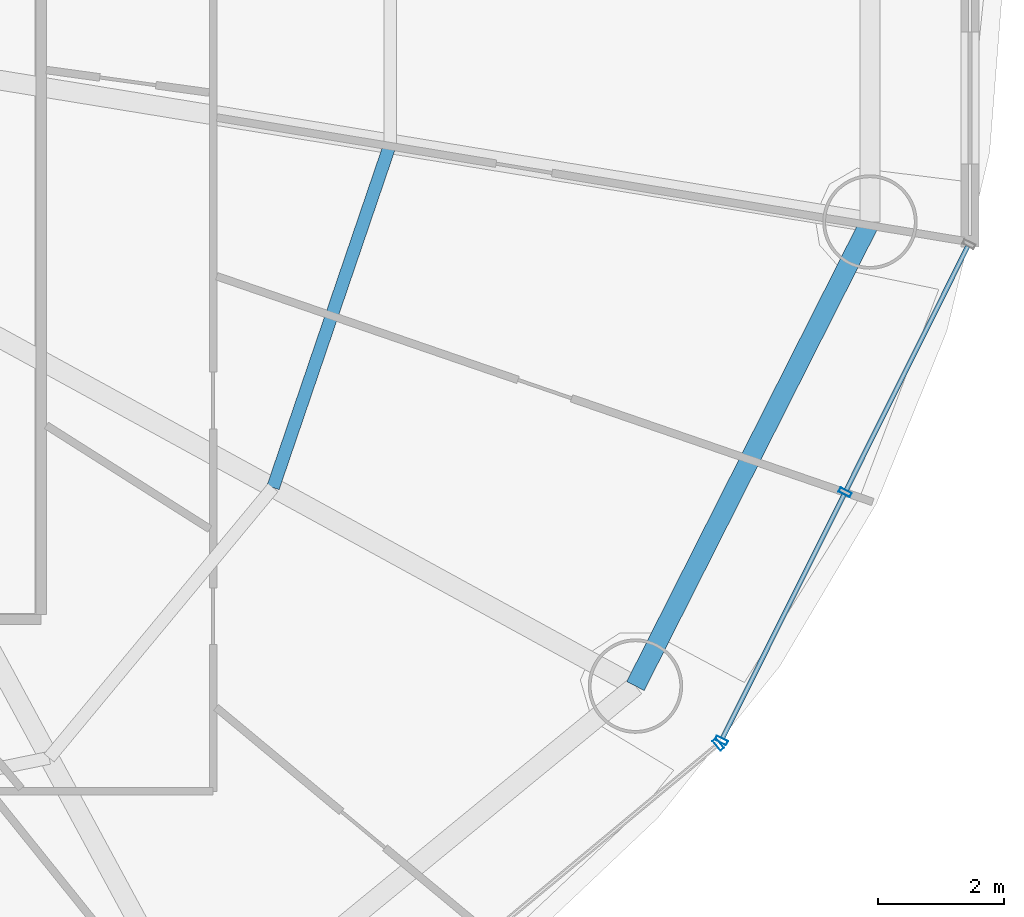
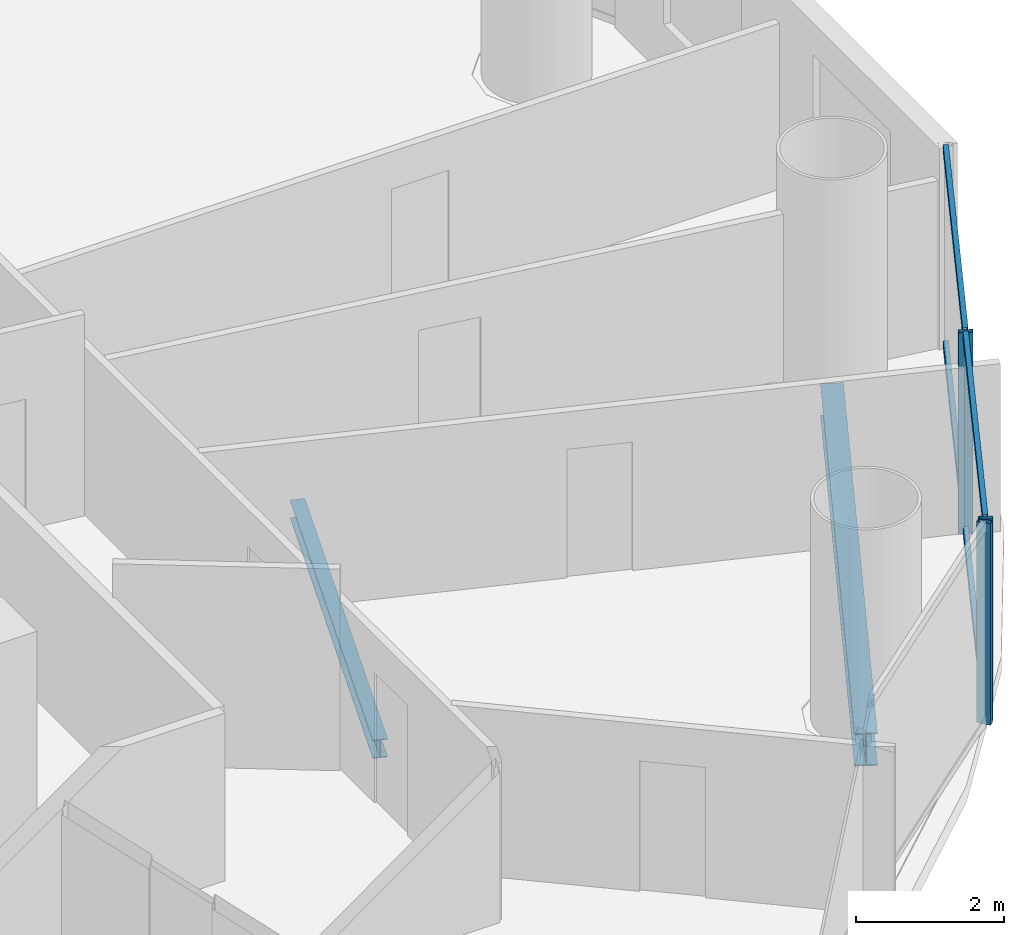
# One storey, part 13 of 29: 7 members, 2 beams, 2 elements without a shape of their own.
"""IFC4 building model written with IfcOpenShell, lengths in metres."""

from ifc_helpers import new_model, si_unit, direction, frame, origin, origin_2d, place, context, subcontext, project, spatial, hollow_rectangle, i_section, extrude, source, transform, mapped, material, material_profile, profile_set, type_object, element, aggregate, save


model = new_model("IFC4")

# Units and contexts
model_context = context("Model", 3, precision=1e-05, world=origin(), true_north=direction((-0.2419218956, 0.970295726276)))
body_context = subcontext(model_context, "Body", "Model", "MODEL_VIEW")
ifc_project = project(units=[si_unit("LENGTHUNIT", "METRE"), si_unit("AREAUNIT", "SQUARE_METRE"), si_unit("VOLUMEUNIT", "CUBIC_METRE"), si_unit("PLANEANGLEUNIT", "RADIAN"), si_unit("MASSUNIT", "GRAM", prefix="KILO")], contexts=[model_context])

# Site, building, storey
site_placement = place(None, origin())
site = spatial("IfcSite", under=ifc_project, at=site_placement, CompositionType="ELEMENT")
building_placement = place(site_placement, origin())
building = spatial("IfcBuilding", under=site, at=building_placement, Name="Cobrevalo Terracotta Tower", CompositionType="ELEMENT")
storey_placement = place(building_placement, frame((0.0, 0.0, 94.199951171875)))
storey = spatial("IfcBuildingStorey", under=building, at=storey_placement, Name="L24", CompositionType="ELEMENT", Elevation=94.199951171875)

# Beams
ifc_material_1 = material(Name="Steel S355", Category="steel")
ifc_material_profile_1 = material_profile(ifc_material_1, i_section(OverallWidth=0.2041015625, OverallDepth=0.305908203125, WebThickness=0.008544921875, FlangeThickness=0.0146484375, at=origin_2d()), Name="W 310x67")
ifc_profile_set_1 = profile_set([ifc_material_profile_1], Name="Steel S355")
beam_type_1 = type_object("IfcBeamType", Name="Structural Joist W 310x67 (Steel S355)", PredefinedType="JOIST", material=ifc_profile_set_1)
beam_1_placement = place(storey_placement, frame((52.987548828125, 18.591796875, -0.427978515625), z_axis=(0.322846227919, 0.946451431991, 0.0), x_axis=(-0.946451431991, 0.322846227919, 0.0)))
element("IfcBeam", 1, at=beam_1_placement, inside=storey, type_object=beam_type_1, Name="L24 circumferential secondary floor joist 15", PredefinedType="JOIST", context=body_context, shape_type="SweptSolid", body=[
    extrude(i_section(OverallWidth=0.2041015625, OverallDepth=0.305908203125, WebThickness=0.008544921875, FlangeThickness=0.0146484375, at=origin_2d()), origin(), (0.0, 0.0, 1.0), 5.77001953125),
])
ifc_material_profile_2 = material_profile(ifc_material_1, i_section(OverallWidth=0.31201171875, OverallDepth=0.54296875, WebThickness=0.0126953125, FlangeThickness=0.020263671875, at=origin_2d()), Name="W 530x150")
ifc_profile_set_2 = profile_set([ifc_material_profile_2], Name="Steel S355")
beam_type_2 = type_object("IfcBeamType", Name="Structural Spandrel W 530x150 (Steel S355)", PredefinedType="SPANDREL", material=ifc_profile_set_2)
beam_2_placement = place(storey_placement, frame((58.7451171875, 15.4384765625, -0.54638671875), z_axis=(0.451051982172, 0.892497680321, 0.0), x_axis=(-0.892497680321, 0.451051982172, 0.0)))
element("IfcBeam", 2, at=beam_2_placement, inside=storey, type_object=beam_type_2, Name="L24 perimeter ring spandrel 15", PredefinedType="SPANDREL", context=body_context, shape_type="SweptSolid", body=[
    extrude(i_section(OverallWidth=0.31201171875, OverallDepth=0.54296875, WebThickness=0.0126953125, FlangeThickness=0.020263671875, at=origin_2d()), origin(), (0.0, 0.0, 1.0), 8.259765625),
])

# Curtain wall, member
ifc_material_2 = material(Name="Anodized aluminium", Category="aluminium")
curtain_wall_type = type_object("IfcCurtainWallType", Name="Lower-tower unitised acoustic low-E curtain wall CW-U1", PredefinedType="NOTDEFINED", material=ifc_material_2)
curtain_wall_1_placement = place(storey_placement, origin())
curtain_wall_1 = element("IfcCurtainWall", 3, at=curtain_wall_1_placement, inside=storey, type_object=curtain_wall_type, Name="L24 curtain wall CW-L24-S14", PredefinedType="NOTDEFINED")
ifc_material_profile_3 = material_profile(ifc_material_2, hollow_rectangle(XDim=0.074951171875, YDim=0.199951171875, WallThickness=0.0048828125, at=origin_2d()), Name="CWM 75x200")
ifc_profile_set_3 = profile_set([ifc_material_profile_3], Name="Anodized aluminium")
member_type_1 = type_object("IfcMemberType", Name="Lower/mid tower unitised mullion 75x200", PredefinedType="MULLION", material=ifc_profile_set_3)
shared_shape_1 = source(origin(), body_context, "Body", "SweptSolid", [
    extrude(hollow_rectangle(XDim=0.074951171875, YDim=0.199951171875, WallThickness=0.0048828125, at=origin_2d()), origin(), (0.0, 0.0, 1.0), 3.324951171875),
])
member_1_placement = place(storey_placement, frame((60.061279296875, 14.512939453125, 0.0), z_axis=(0.0, 0.0, 1.0), x_axis=(0.769243451658, 0.638955798222, 0.0)))
member_1 = element("IfcMember", 4, at=member_1_placement, type_object=member_type_1, Name="CW-L24-S14 vertical mullion 03", PredefinedType="MULLION", context=body_context, shape_type="MappedRepresentation", body=[
    mapped(shared_shape_1, transform((0.0, 0.0, 0.0), scale=1.0)),
])
aggregate(curtain_wall_1, [member_1])

# Curtain wall, members
curtain_wall_2_placement = place(storey_placement, origin())
curtain_wall_2 = element("IfcCurtainWall", 5, at=curtain_wall_2_placement, inside=storey, type_object=curtain_wall_type, Name="L24 curtain wall CW-L24-S15", PredefinedType="NOTDEFINED")
member_2_placement = place(storey_placement, frame((60.110107421875, 14.574462890625, 0.0), z_axis=(0.0, 0.0, 1.0), x_axis=(0.446260290227, 0.894903208937, 0.0)))
member_2 = element("IfcMember", 6, at=member_2_placement, type_object=member_type_1, Name="CW-L24-S15 vertical mullion 01", PredefinedType="MULLION", context=body_context, shape_type="MappedRepresentation", body=[
    mapped(shared_shape_1, transform((0.0, 0.0, 0.0), scale=1.0)),
])
member_3_placement = place(storey_placement, frame((62.075927734375, 18.516357421875, 0.0), z_axis=(0.0, 0.0, 1.0), x_axis=(0.446260290227, 0.894903208937, 0.0)))
member_3 = element("IfcMember", 7, at=member_3_placement, type_object=member_type_1, Name="CW-L24-S15 vertical mullion 02", PredefinedType="MULLION", context=body_context, shape_type="MappedRepresentation", body=[
    mapped(shared_shape_1, transform((0.0, 0.0, 0.0), scale=1.0)),
])
ifc_material_profile_4 = material_profile(ifc_material_2, hollow_rectangle(XDim=0.074951171875, YDim=0.14990234375, WallThickness=0.00439453125, at=origin_2d()), Name="CWT 75x150")
ifc_profile_set_4 = profile_set([ifc_material_profile_4], Name="Anodized aluminium")
member_type_2 = type_object("IfcMemberType", Name="Tower unitised aluminium transom 75x150", PredefinedType="USERDEFINED", material=ifc_profile_set_4)
shared_shape_2 = source(origin(), body_context, "Body", "SweptSolid", [
    extrude(hollow_rectangle(XDim=0.074951171875, YDim=0.14990234375, WallThickness=0.00439453125, at=origin_2d()), origin(), (0.0, 0.0, 1.0), 4.324951171875),
])
member_4_placement = place(storey_placement, frame((60.1279296875, 14.610107421875, 0.050048828125), z_axis=(0.446219838389, 0.894923379864, 0.0), x_axis=(-0.894923379864, 0.446219838389, 0.0)))
member_4 = element("IfcMember", 8, at=member_4_placement, type_object=member_type_2, Name="CW-L24-S15 transom B01-T1", ObjectType="TRANSOM", PredefinedType="USERDEFINED", context=body_context, shape_type="MappedRepresentation", body=[
    mapped(shared_shape_2, transform((0.0, 0.0, 0.0), scale=1.0)),
])
member_5_placement = place(storey_placement, frame((60.1279296875, 14.610107421875, 3.275146484375), z_axis=(0.446219838389, 0.894923379864, 0.0), x_axis=(-0.894923379864, 0.446219838389, 0.0)))
member_5 = element("IfcMember", 9, at=member_5_placement, type_object=member_type_2, Name="CW-L24-S15 transom B01-T2", ObjectType="TRANSOM", PredefinedType="USERDEFINED", context=body_context, shape_type="MappedRepresentation", body=[
    mapped(shared_shape_2, transform((0.0, 0.0, 0.0), scale=1.0)),
])
member_6_placement = place(storey_placement, frame((62.09375, 18.55224609375, 0.050048828125), z_axis=(0.446219838389, 0.894923379864, 0.0), x_axis=(-0.894923379864, 0.446219838389, 0.0)))
member_6 = element("IfcMember", 10, at=member_6_placement, type_object=member_type_2, Name="CW-L24-S15 transom B02-T1", ObjectType="TRANSOM", PredefinedType="USERDEFINED", context=body_context, shape_type="MappedRepresentation", body=[
    mapped(shared_shape_2, transform((0.0, 0.0, 0.0), scale=1.0)),
])
member_7_placement = place(storey_placement, frame((62.09375, 18.55224609375, 3.275146484375), z_axis=(0.446219838389, 0.894923379864, 0.0), x_axis=(-0.894923379864, 0.446219838389, 0.0)))
member_7 = element("IfcMember", 11, at=member_7_placement, type_object=member_type_2, Name="CW-L24-S15 transom B02-T2", ObjectType="TRANSOM", PredefinedType="USERDEFINED", context=body_context, shape_type="MappedRepresentation", body=[
    mapped(shared_shape_2, transform((0.0, 0.0, 0.0), scale=1.0)),
])
aggregate(curtain_wall_2, [member_2, member_3, member_4, member_5, member_6, member_7])

save(model, "model.ifc")
